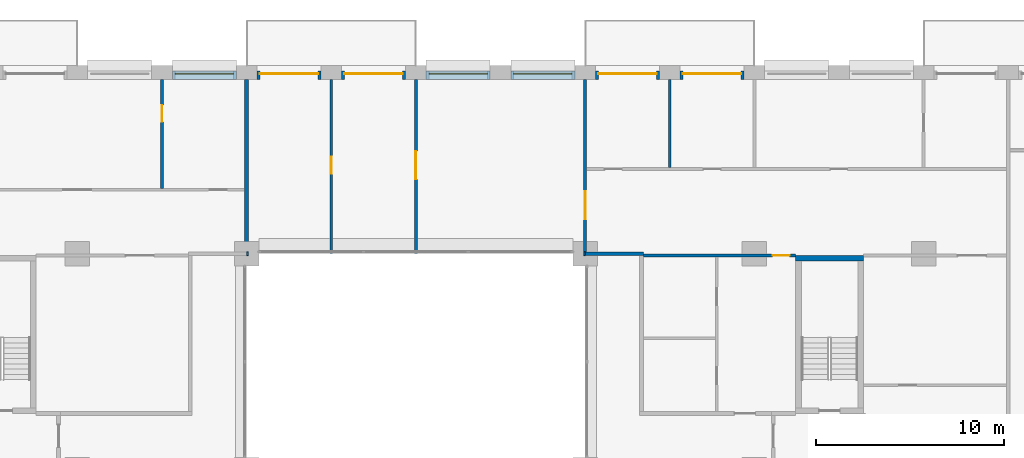
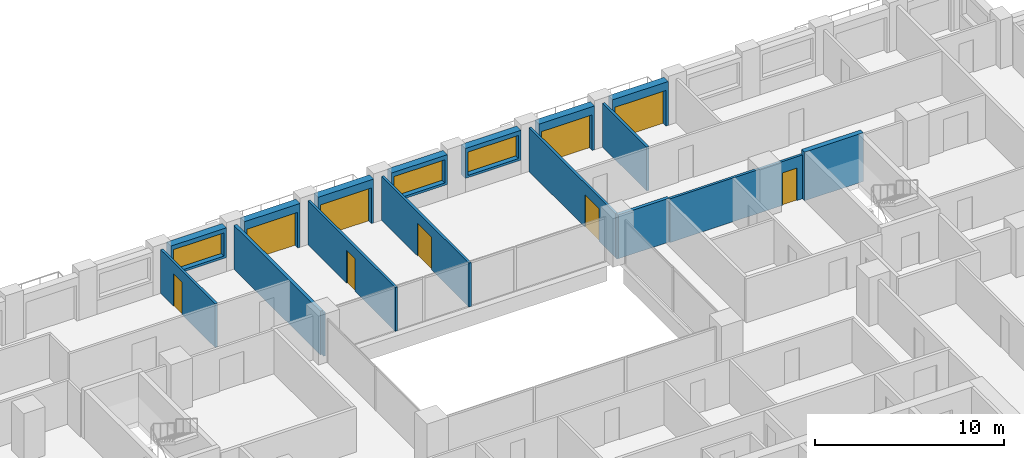
# One storey, part 13 of 16: 18 walls, 9 doors, 3 windows, 12 openings.
"""IFC4 building model written with IfcOpenShell, lengths in metres."""

from ifc_helpers import new_model, si_unit, direction, frame, frame_2d, origin, place, context, subcontext, project, spatial, rectangle, extrude, material, layer, layer_set, type_object, element, fill, save


model = new_model("IFC4")

# Units and contexts
model_context = context("Model", 3, precision=1e-05, world=origin(), true_north=direction((0.0, 1.0)))
body_context = subcontext(model_context, "Body", "Model", "MODEL_VIEW")
ifc_project = project(units=[si_unit("LENGTHUNIT", "METRE"), si_unit("AREAUNIT", "SQUARE_METRE"), si_unit("VOLUMEUNIT", "CUBIC_METRE"), si_unit("PLANEANGLEUNIT", "RADIAN"), si_unit("MASSUNIT", "GRAM", prefix="KILO")], contexts=[model_context])

# Site, building, storey
site_placement = place(None, origin())
site = spatial("IfcSite", under=ifc_project, at=site_placement, CompositionType="ELEMENT")
building_placement = place(site_placement, origin())
building = spatial("IfcBuilding", under=site, at=building_placement, Name="Brigalow Station Residences", CompositionType="ELEMENT")
storey_placement = place(building_placement, frame((0.0, 0.0, 118.199951171875)))
storey = spatial("IfcBuildingStorey", under=building, at=storey_placement, Name="L34", CompositionType="ELEMENT", Elevation=118.199951171875)

# Wall, opening, door
ifc_material_1 = material(Name="Clay brick masonry", Category="masonry")
ifc_layer_1 = layer(ifc_material_1, 0.449951171875)
ifc_layer_set_1 = layer_set([ifc_layer_1], Name="BRICK INFILL WALL 450")
wall_type_1 = type_object("IfcWallType", Name="BRICK INFILL WALL 450", PredefinedType="SOLIDWALL", material=ifc_layer_set_1)
wall_1_placement = place(storey_placement, frame((53.449951171875, 44.97509765625, 0.0), z_axis=(0.0, 0.0, 1.0), x_axis=(-1.0, 0.0, 0.0)))
wall_1 = element("IfcWall", 1, at=wall_1_placement, inside=storey, type_object=wall_type_1, Name="L34/ewall/W-L34-27", PredefinedType="SOLIDWALL", context=body_context, shape_type="SweptSolid", body=[
    extrude(rectangle(XDim=3.39990234375, YDim=0.449951171875, at=frame_2d((1.699951171875, 0.0))), origin(), (0.0, 0.0, 1.0), 2.830078125),
])
opening_1_placement = place(wall_1_placement, frame((0.14990234375, 0.0, 0.0)))
opening_1 = element("IfcOpeningElement", 2, at=opening_1_placement, cuts=wall_1, Name="Opening D-B3100", PredefinedType="OPENING", context=body_context, shape_type="SweptSolid", body=[
    extrude(rectangle(XDim=3.10009765625, YDim=2.300048828125, at=frame_2d((1.550048828125, 1.14990234375))), frame((0.0, 0.23486328125, 0.0), z_axis=(0.0, -1.0, 0.0), x_axis=(1.0, 0.0, 0.0)), (0.0, 0.0, 1.0), 0.469970703125),
])
ifc_material_2 = material(Name="Anodised aluminium frame with double glazing", Category="aluminium")
door_type_1 = type_object("IfcDoorType", Name="BALCONY SLIDING DOOR 3100x2300", OperationType="SLIDING_TO_LEFT", PredefinedType="DOOR", material=ifc_material_2)
door_1_placement = place(opening_1_placement, origin())
door_1 = element("IfcDoor", 3, at=door_1_placement, inside=storey, type_object=door_type_1, Name="L34/balcony-door/W-L34-27", OperationType="SLIDING_TO_LEFT", OverallHeight=2.300048828125, OverallWidth=3.10009765625, PredefinedType="DOOR", context=body_context, shape_type="SweptSolid", body=[
    extrude(rectangle(XDim=3.10009765625, YDim=2.300048828125, at=frame_2d((1.550048828125, 1.14990234375))), frame((0.0, -0.06982421875, 0.0), z_axis=(0.0, -1.0, 0.0), x_axis=(1.0, 0.0, 0.0)), (0.0, 0.0, 1.0), 0.050048828125),
])
fill(opening_1, door_1)

wall_2_placement = place(storey_placement, frame((48.949951171875, 44.97509765625, 0.0), z_axis=(0.0, 0.0, 1.0), x_axis=(-1.0, 0.0, 0.0)))
wall_2 = element("IfcWall", 4, at=wall_2_placement, inside=storey, type_object=wall_type_1, Name="L34/ewall/W-L34-28", PredefinedType="SOLIDWALL", context=body_context, shape_type="SweptSolid", body=[
    extrude(rectangle(XDim=3.39990234375, YDim=0.449951171875, at=frame_2d((1.699951171875, 0.0))), origin(), (0.0, 0.0, 1.0), 2.830078125),
])
opening_2_placement = place(wall_2_placement, frame((0.14990234375, 0.0, 0.0)))
opening_2 = element("IfcOpeningElement", 5, at=opening_2_placement, cuts=wall_2, Name="Opening D-B3100", PredefinedType="OPENING", context=body_context, shape_type="SweptSolid", body=[
    extrude(rectangle(XDim=3.10009765625, YDim=2.300048828125, at=frame_2d((1.550048828125, 1.14990234375))), frame((0.0, 0.23486328125, 0.0), z_axis=(0.0, -1.0, 0.0), x_axis=(1.0, 0.0, 0.0)), (0.0, 0.0, 1.0), 0.469970703125),
])
door_2_placement = place(opening_2_placement, origin())
door_2 = element("IfcDoor", 6, at=door_2_placement, inside=storey, type_object=door_type_1, Name="L34/balcony-door/W-L34-28", OperationType="SLIDING_TO_LEFT", OverallHeight=2.300048828125, OverallWidth=3.10009765625, PredefinedType="DOOR", context=body_context, shape_type="SweptSolid", body=[
    extrude(rectangle(XDim=3.10009765625, YDim=2.300048828125, at=frame_2d((1.550048828125, 1.14990234375))), frame((0.0, -0.06982421875, 0.0), z_axis=(0.0, -1.0, 0.0), x_axis=(1.0, 0.0, 0.0)), (0.0, 0.0, 1.0), 0.050048828125),
])
fill(opening_2, door_2)

# Wall, opening, window
wall_3_placement = place(storey_placement, frame((44.449951171875, 44.97509765625, 0.900146484375), z_axis=(0.0, 0.0, 1.0), x_axis=(-1.0, 0.0, 0.0)))
wall_3 = element("IfcWall", 7, at=wall_3_placement, inside=storey, type_object=wall_type_1, Name="L34/ewall/W-L34-29", PredefinedType="SOLIDWALL", context=body_context, shape_type="SweptSolid", body=[
    extrude(rectangle(XDim=3.39990234375, YDim=0.449951171875, at=frame_2d((1.699951171875, 0.0))), origin(), (0.0, 0.0, 1.0), 1.929931640625),
])
opening_3_placement = place(wall_3_placement, frame((0.14990234375, 0.0, 0.14990234375)))
opening_3 = element("IfcOpeningElement", 8, at=opening_3_placement, cuts=wall_3, Name="Opening WT-8", PredefinedType="OPENING", context=body_context, shape_type="SweptSolid", body=[
    extrude(rectangle(XDim=3.10009765625, YDim=1.5, at=frame_2d((1.550048828125, 0.75))), frame((0.0, 0.23486328125, 0.0), z_axis=(0.0, -1.0, 0.0), x_axis=(1.0, 0.0, 0.0)), (0.0, 0.0, 1.0), 0.469970703125),
])
ifc_material_3 = material(Name="Anodised aluminium frame with double glazing", Category="aluminium")
window_type = type_object("IfcWindowType", Name="WINDOW 3100x1500", PartitioningType="SINGLE_PANEL", PredefinedType="WINDOW", material=ifc_material_3)
window_1_placement = place(opening_3_placement, origin())
window_1 = element("IfcWindow", 9, at=window_1_placement, inside=storey, type_object=window_type, Name="L34/window/W-L34-29", OverallHeight=1.5, OverallWidth=3.10009765625, PartitioningType="SINGLE_PANEL", PredefinedType="WINDOW", context=body_context, shape_type="SweptSolid", body=[
    extrude(rectangle(XDim=3.10009765625, YDim=1.5, at=frame_2d((1.550048828125, 0.75))), frame((0.0, -0.06494140625, 0.0), z_axis=(0.0, -1.0, 0.0), x_axis=(1.0, 0.0, 0.0)), (0.0, 0.0, 1.0), 0.06005859375),
])
fill(opening_3, window_1)

wall_4_placement = place(storey_placement, frame((39.949951171875, 44.97509765625, 0.900146484375), z_axis=(0.0, 0.0, 1.0), x_axis=(-1.0, 0.0, 0.0)))
wall_4 = element("IfcWall", 10, at=wall_4_placement, inside=storey, type_object=wall_type_1, Name="L34/ewall/W-L34-30", PredefinedType="SOLIDWALL", context=body_context, shape_type="SweptSolid", body=[
    extrude(rectangle(XDim=3.39990234375, YDim=0.449951171875, at=frame_2d((1.699951171875, 0.0))), origin(), (0.0, 0.0, 1.0), 1.929931640625),
])
opening_4_placement = place(wall_4_placement, frame((0.14990234375, 0.0, 0.14990234375)))
opening_4 = element("IfcOpeningElement", 11, at=opening_4_placement, cuts=wall_4, Name="Opening WT-8", PredefinedType="OPENING", context=body_context, shape_type="SweptSolid", body=[
    extrude(rectangle(XDim=3.10009765625, YDim=1.5, at=frame_2d((1.550048828125, 0.75))), frame((0.0, 0.23486328125, 0.0), z_axis=(0.0, -1.0, 0.0), x_axis=(1.0, 0.0, 0.0)), (0.0, 0.0, 1.0), 0.469970703125),
])
window_2_placement = place(opening_4_placement, origin())
window_2 = element("IfcWindow", 12, at=window_2_placement, inside=storey, type_object=window_type, Name="L34/window/W-L34-30", OverallHeight=1.5, OverallWidth=3.10009765625, PartitioningType="SINGLE_PANEL", PredefinedType="WINDOW", context=body_context, shape_type="SweptSolid", body=[
    extrude(rectangle(XDim=3.10009765625, YDim=1.5, at=frame_2d((1.550048828125, 0.75))), frame((0.0, -0.06494140625, 0.0), z_axis=(0.0, -1.0, 0.0), x_axis=(1.0, 0.0, 0.0)), (0.0, 0.0, 1.0), 0.06005859375),
])
fill(opening_4, window_2)

# Wall, opening, door
wall_5_placement = place(storey_placement, frame((35.449951171875, 44.97509765625, 0.0), z_axis=(0.0, 0.0, 1.0), x_axis=(-1.0, 0.0, 0.0)))
wall_5 = element("IfcWall", 13, at=wall_5_placement, inside=storey, type_object=wall_type_1, Name="L34/ewall/W-L34-31", PredefinedType="SOLIDWALL", context=body_context, shape_type="SweptSolid", body=[
    extrude(rectangle(XDim=3.39990234375, YDim=0.449951171875, at=frame_2d((1.699951171875, 0.0))), origin(), (0.0, 0.0, 1.0), 2.830078125),
])
opening_5_placement = place(wall_5_placement, frame((0.14990234375, 0.0, 0.0)))
opening_5 = element("IfcOpeningElement", 14, at=opening_5_placement, cuts=wall_5, Name="Opening D-B3100", PredefinedType="OPENING", context=body_context, shape_type="SweptSolid", body=[
    extrude(rectangle(XDim=3.10009765625, YDim=2.300048828125, at=frame_2d((1.550048828125, 1.14990234375))), frame((0.0, 0.23486328125, 0.0), z_axis=(0.0, -1.0, 0.0), x_axis=(1.0, 0.0, 0.0)), (0.0, 0.0, 1.0), 0.469970703125),
])
door_3_placement = place(opening_5_placement, origin())
door_3 = element("IfcDoor", 15, at=door_3_placement, inside=storey, type_object=door_type_1, Name="L34/balcony-door/W-L34-31", OperationType="SLIDING_TO_LEFT", OverallHeight=2.300048828125, OverallWidth=3.10009765625, PredefinedType="DOOR", context=body_context, shape_type="SweptSolid", body=[
    extrude(rectangle(XDim=3.10009765625, YDim=2.300048828125, at=frame_2d((1.550048828125, 1.14990234375))), frame((0.0, -0.06982421875, 0.0), z_axis=(0.0, -1.0, 0.0), x_axis=(1.0, 0.0, 0.0)), (0.0, 0.0, 1.0), 0.050048828125),
])
fill(opening_5, door_3)

wall_6_placement = place(storey_placement, frame((30.949951171875, 44.97509765625, 0.0), z_axis=(0.0, 0.0, 1.0), x_axis=(-1.0, 0.0, 0.0)))
wall_6 = element("IfcWall", 16, at=wall_6_placement, inside=storey, type_object=wall_type_1, Name="L34/ewall/W-L34-32", PredefinedType="SOLIDWALL", context=body_context, shape_type="SweptSolid", body=[
    extrude(rectangle(XDim=3.39990234375, YDim=0.449951171875, at=frame_2d((1.699951171875, 0.0))), origin(), (0.0, 0.0, 1.0), 2.830078125),
])
opening_6_placement = place(wall_6_placement, frame((0.14990234375, 0.0, 0.0)))
opening_6 = element("IfcOpeningElement", 17, at=opening_6_placement, cuts=wall_6, Name="Opening D-B3100", PredefinedType="OPENING", context=body_context, shape_type="SweptSolid", body=[
    extrude(rectangle(XDim=3.10009765625, YDim=2.300048828125, at=frame_2d((1.550048828125, 1.14990234375))), frame((0.0, 0.23486328125, 0.0), z_axis=(0.0, -1.0, 0.0), x_axis=(1.0, 0.0, 0.0)), (0.0, 0.0, 1.0), 0.469970703125),
])
door_4_placement = place(opening_6_placement, origin())
door_4 = element("IfcDoor", 18, at=door_4_placement, inside=storey, type_object=door_type_1, Name="L34/balcony-door/W-L34-32", OperationType="SLIDING_TO_LEFT", OverallHeight=2.300048828125, OverallWidth=3.10009765625, PredefinedType="DOOR", context=body_context, shape_type="SweptSolid", body=[
    extrude(rectangle(XDim=3.10009765625, YDim=2.300048828125, at=frame_2d((1.550048828125, 1.14990234375))), frame((0.0, -0.06982421875, 0.0), z_axis=(0.0, -1.0, 0.0), x_axis=(1.0, 0.0, 0.0)), (0.0, 0.0, 1.0), 0.050048828125),
])
fill(opening_6, door_4)

# Wall, opening, window
wall_7_placement = place(storey_placement, frame((26.449951171875, 44.97509765625, 0.900146484375), z_axis=(0.0, 0.0, 1.0), x_axis=(-1.0, 0.0, 0.0)))
wall_7 = element("IfcWall", 19, at=wall_7_placement, inside=storey, type_object=wall_type_1, Name="L34/ewall/W-L34-33", PredefinedType="SOLIDWALL", context=body_context, shape_type="SweptSolid", body=[
    extrude(rectangle(XDim=3.39990234375, YDim=0.449951171875, at=frame_2d((1.699951171875, 0.0))), origin(), (0.0, 0.0, 1.0), 1.929931640625),
])
opening_7_placement = place(wall_7_placement, frame((0.14990234375, 0.0, 0.14990234375)))
opening_7 = element("IfcOpeningElement", 20, at=opening_7_placement, cuts=wall_7, Name="Opening WT-8", PredefinedType="OPENING", context=body_context, shape_type="SweptSolid", body=[
    extrude(rectangle(XDim=3.10009765625, YDim=1.5, at=frame_2d((1.550048828125, 0.75))), frame((0.0, 0.23486328125, 0.0), z_axis=(0.0, -1.0, 0.0), x_axis=(1.0, 0.0, 0.0)), (0.0, 0.0, 1.0), 0.469970703125),
])
window_3_placement = place(opening_7_placement, origin())
window_3 = element("IfcWindow", 21, at=window_3_placement, inside=storey, type_object=window_type, Name="L34/window/W-L34-33", OverallHeight=1.5, OverallWidth=3.10009765625, PartitioningType="SINGLE_PANEL", PredefinedType="WINDOW", context=body_context, shape_type="SweptSolid", body=[
    extrude(rectangle(XDim=3.10009765625, YDim=1.5, at=frame_2d((1.550048828125, 0.75))), frame((0.0, -0.06494140625, 0.0), z_axis=(0.0, -1.0, 0.0), x_axis=(1.0, 0.0, 0.0)), (0.0, 0.0, 1.0), 0.06005859375),
])
fill(opening_7, window_3)

# Wall
ifc_material_4 = material(Name="Concrete C65", Category="concrete")
ifc_layer_2 = layer(ifc_material_4, 0.300048828125)
ifc_layer_set_2 = layer_set([ifc_layer_2], Name="CORE SHEAR WALL 300 C65")
wall_type_2 = type_object("IfcWallType", Name="CORE SHEAR WALL 300 C65", PredefinedType="SHEAR", material=ifc_layer_set_2)
wall_8_placement = place(storey_placement, frame((56.199951171875, 35.25, 0.0), z_axis=(0.0, 0.0, 1.0), x_axis=(1.0, 0.0, 0.0)))
element("IfcWall", 22, at=wall_8_placement, inside=storey, type_object=wall_type_2, Name="CORE WALL ST-S3-N L34", PredefinedType="SHEAR", context=body_context, shape_type="SweptSolid", body=[
    extrude(rectangle(XDim=3.60009765625, YDim=0.300048828125, at=frame_2d((1.800048828125, 0.0))), origin(), (0.0, 0.0, 1.0), 3.150146484375),
])

# Wall, opening, door
ifc_material_5 = material(Name="Plasterboard on steel stud partition", Category="steel")
ifc_layer_3 = layer(ifc_material_5, 0.14990234375)
ifc_layer_set_3 = layer_set([ifc_layer_3], Name="FLAT PARTITION 150")
wall_type_3 = type_object("IfcWallType", Name="FLAT PARTITION 150", PredefinedType="PARTITIONING", material=ifc_layer_set_3)
wall_9_placement = place(storey_placement, frame((48.10009765625, 35.39990234375, 0.0), z_axis=(0.0, 0.0, 1.0), x_axis=(1.0, 0.0, 0.0)))
wall_9 = element("IfcWall", 23, at=wall_9_placement, inside=storey, type_object=wall_type_3, Name="PW-2E28", PredefinedType="PARTITIONING", context=body_context, shape_type="SweptSolid", body=[
    extrude(rectangle(XDim=8.099853515625, YDim=0.14990234375, at=frame_2d((4.0498046875, 0.0))), origin(), (0.0, 0.0, 1.0), 2.830078125),
])
opening_8_placement = place(wall_9_placement, frame((6.875, 0.0, 0.0)))
opening_8 = element("IfcOpeningElement", 24, at=opening_8_placement, cuts=wall_9, Name="Opening D-2E20", PredefinedType="OPENING", context=body_context, shape_type="SweptSolid", body=[
    extrude(rectangle(XDim=0.89990234375, YDim=2.10009765625, at=frame_2d((0.449951171875, 1.050048828125))), frame((0.0, 0.0849609375, 0.0), z_axis=(0.0, -1.0, 0.0), x_axis=(1.0, 0.0, 0.0)), (0.0, 0.0, 1.0), 0.169921875),
])
ifc_material_6 = material(Name="Solid-core timber door leaf", Category="wood")
door_type_2 = type_object("IfcDoorType", Name="INTERNAL DOOR 900 x 2100", OperationType="SINGLE_SWING_LEFT", PredefinedType="DOOR", material=ifc_material_6)
door_5_placement = place(opening_8_placement, frame((0.89990234375, 0.0, 0.0), z_axis=(0.0, 0.0, 1.0), x_axis=(-1.0, 0.0, 0.0)))
door_5 = element("IfcDoor", 25, at=door_5_placement, inside=storey, type_object=door_type_2, Name="D-2E20", OperationType="SINGLE_SWING_LEFT", OverallHeight=2.10009765625, OverallWidth=0.89990234375, PredefinedType="DOOR", context=body_context, shape_type="SweptSolid", body=[
    extrude(rectangle(XDim=0.89990234375, YDim=2.10009765625, at=frame_2d((0.449951171875, 1.050048828125))), frame((0.0, 0.02490234375, 0.0), z_axis=(0.0, -1.0, 0.0), x_axis=(1.0, 0.0, 0.0)), (0.0, 0.0, 1.0), 0.050048828125),
])
fill(opening_8, door_5)

wall_10_placement = place(storey_placement, frame((22.5, 38.97509765625, 0.0), z_axis=(0.0, 0.0, 1.0), x_axis=(0.0, 1.0, 0.0)))
wall_10 = element("IfcWall", 26, at=wall_10_placement, inside=storey, type_object=wall_type_3, Name="PW-2E49", PredefinedType="PARTITIONING", context=body_context, shape_type="SweptSolid", body=[
    extrude(rectangle(XDim=5.77490234375, YDim=0.14990234375, at=frame_2d((2.887451171875, 0.0))), origin(), (0.0, 0.0, 1.0), 2.830078125),
])
opening_9_placement = place(wall_10_placement, frame((3.52490234375, 0.0, 0.0)))
opening_9 = element("IfcOpeningElement", 27, at=opening_9_placement, cuts=wall_10, Name="Opening D-2E14", PredefinedType="OPENING", context=body_context, shape_type="SweptSolid", body=[
    extrude(rectangle(XDim=0.89990234375, YDim=2.10009765625, at=frame_2d((0.449951171875, 1.050048828125))), frame((0.0, 0.0849609375, 0.0), z_axis=(0.0, -1.0, 0.0), x_axis=(1.0, 0.0, 0.0)), (0.0, 0.0, 1.0), 0.169921875),
])
door_6_placement = place(opening_9_placement, frame((0.89990234375, 0.0, 0.0), z_axis=(0.0, 0.0, 1.0), x_axis=(-1.0, 0.0, 0.0)))
door_6 = element("IfcDoor", 28, at=door_6_placement, inside=storey, type_object=door_type_2, Name="D-2E14", OperationType="SINGLE_SWING_LEFT", OverallHeight=2.10009765625, OverallWidth=0.89990234375, PredefinedType="DOOR", context=body_context, shape_type="SweptSolid", body=[
    extrude(rectangle(XDim=0.89990234375, YDim=2.10009765625, at=frame_2d((0.449951171875, 1.050048828125))), frame((0.0, 0.02490234375, 0.0), z_axis=(0.0, -1.0, 0.0), x_axis=(1.0, 0.0, 0.0)), (0.0, 0.0, 1.0), 0.050048828125),
])
fill(opening_9, door_6)

wall_11_placement = place(storey_placement, frame((31.5, 35.5, 0.0), z_axis=(0.0, 0.0, 1.0), x_axis=(0.0, 1.0, 0.0)))
wall_11 = element("IfcWall", 29, at=wall_11_placement, inside=storey, type_object=wall_type_3, Name="PW-2E51", PredefinedType="PARTITIONING", context=body_context, shape_type="SweptSolid", body=[
    extrude(rectangle(XDim=9.25, YDim=0.14990234375, at=frame_2d((4.625, 0.0))), origin(), (0.0, 0.0, 1.0), 2.830078125),
])
opening_10_placement = place(wall_11_placement, frame((4.25, 0.0, 0.0)))
opening_10 = element("IfcOpeningElement", 30, at=opening_10_placement, cuts=wall_11, Name="Opening D-2E23", PredefinedType="OPENING", context=body_context, shape_type="SweptSolid", body=[
    extrude(rectangle(XDim=0.89990234375, YDim=2.10009765625, at=frame_2d((0.449951171875, 1.050048828125))), frame((0.0, 0.0849609375, 0.0), z_axis=(0.0, -1.0, 0.0), x_axis=(1.0, 0.0, 0.0)), (0.0, 0.0, 1.0), 0.169921875),
])
door_7_placement = place(opening_10_placement, frame((0.89990234375, 0.0, 0.0), z_axis=(0.0, 0.0, 1.0), x_axis=(-1.0, 0.0, 0.0)))
door_7 = element("IfcDoor", 31, at=door_7_placement, inside=storey, type_object=door_type_2, Name="D-2E23", OperationType="SINGLE_SWING_LEFT", OverallHeight=2.10009765625, OverallWidth=0.89990234375, PredefinedType="DOOR", context=body_context, shape_type="SweptSolid", body=[
    extrude(rectangle(XDim=0.89990234375, YDim=2.10009765625, at=frame_2d((0.449951171875, 1.050048828125))), frame((0.0, 0.02490234375, 0.0), z_axis=(0.0, -1.0, 0.0), x_axis=(1.0, 0.0, 0.0)), (0.0, 0.0, 1.0), 0.050048828125),
])
fill(opening_10, door_7)

wall_12_placement = place(storey_placement, frame((36.0, 35.5, 0.0), z_axis=(0.0, 0.0, 1.0), x_axis=(0.0, 1.0, 0.0)))
wall_12 = element("IfcWall", 32, at=wall_12_placement, inside=storey, type_object=wall_type_3, Name="PW-2E52", PredefinedType="PARTITIONING", context=body_context, shape_type="SweptSolid", body=[
    extrude(rectangle(XDim=9.25, YDim=0.14990234375, at=frame_2d((4.625, 0.0))), origin(), (0.0, 0.0, 1.0), 2.830078125),
])
opening_11_placement = place(wall_12_placement, frame((3.949951171875, 0.0, 0.0)))
opening_11 = element("IfcOpeningElement", 33, at=opening_11_placement, cuts=wall_12, Name="Opening D-2E22", PredefinedType="OPENING", context=body_context, shape_type="SweptSolid", body=[
    extrude(rectangle(XDim=1.5, YDim=2.10009765625, at=frame_2d((0.75, 1.050048828125))), frame((0.0, 0.0849609375, 0.0), z_axis=(0.0, -1.0, 0.0), x_axis=(1.0, 0.0, 0.0)), (0.0, 0.0, 1.0), 0.169921875),
])
ifc_material_7 = material(Name="Solid-core timber door leaf", Category="wood")
door_type_3 = type_object("IfcDoorType", Name="INTERNAL DOUBLE DOOR 1500 x 2100", OperationType="DOUBLE_DOOR_SINGLE_SWING", PredefinedType="DOOR", material=ifc_material_7)
door_8_placement = place(opening_11_placement, origin())
door_8 = element("IfcDoor", 34, at=door_8_placement, inside=storey, type_object=door_type_3, Name="D-2E22", OperationType="DOUBLE_DOOR_SINGLE_SWING", OverallHeight=2.10009765625, OverallWidth=1.5, PredefinedType="DOOR", context=body_context, shape_type="SweptSolid", body=[
    extrude(rectangle(XDim=1.5, YDim=2.10009765625, at=frame_2d((0.75, 1.050048828125))), frame((0.0, 0.02490234375, 0.0), z_axis=(0.0, -1.0, 0.0), x_axis=(1.0, 0.0, 0.0)), (0.0, 0.0, 1.0), 0.050048828125),
])
fill(opening_11, door_8)

wall_13_placement = place(storey_placement, frame((45.0, 35.60009765625, 0.0), z_axis=(0.0, 0.0, 1.0), x_axis=(0.0, 1.0, 0.0)))
wall_13 = element("IfcWall", 35, at=wall_13_placement, inside=storey, type_object=wall_type_3, Name="PW-2E53", PredefinedType="PARTITIONING", context=body_context, shape_type="SweptSolid", body=[
    extrude(rectangle(XDim=9.14990234375, YDim=0.14990234375, at=frame_2d((4.574951171875, 0.0))), origin(), (0.0, 0.0, 1.0), 2.830078125),
])
opening_12_placement = place(wall_13_placement, frame((1.72509765625, 0.0, 0.0)))
opening_12 = element("IfcOpeningElement", 36, at=opening_12_placement, cuts=wall_13, Name="Opening D-2E21", PredefinedType="OPENING", context=body_context, shape_type="SweptSolid", body=[
    extrude(rectangle(XDim=1.5, YDim=2.10009765625, at=frame_2d((0.75, 1.050048828125))), frame((0.0, 0.0849609375, 0.0), z_axis=(0.0, -1.0, 0.0), x_axis=(1.0, 0.0, 0.0)), (0.0, 0.0, 1.0), 0.169921875),
])
door_9_placement = place(opening_12_placement, origin())
door_9 = element("IfcDoor", 37, at=door_9_placement, inside=storey, type_object=door_type_3, Name="D-2E21", OperationType="DOUBLE_DOOR_SINGLE_SWING", OverallHeight=2.10009765625, OverallWidth=1.5, PredefinedType="DOOR", context=body_context, shape_type="SweptSolid", body=[
    extrude(rectangle(XDim=1.5, YDim=2.10009765625, at=frame_2d((0.75, 1.050048828125))), frame((0.0, 0.02490234375, 0.0), z_axis=(0.0, -1.0, 0.0), x_axis=(1.0, 0.0, 0.0)), (0.0, 0.0, 1.0), 0.050048828125),
])
fill(opening_12, door_9)

# Walls
wall_14_placement = place(storey_placement, frame((49.5, 40.074951171875, 0.0), z_axis=(0.0, 0.0, 1.0), x_axis=(0.0, 1.0, 0.0)))
element("IfcWall", 38, at=wall_14_placement, inside=storey, type_object=wall_type_3, Name="PW-2E58", PredefinedType="PARTITIONING", context=body_context, shape_type="SweptSolid", body=[
    extrude(rectangle(XDim=4.675048828125, YDim=0.14990234375, at=frame_2d((2.33740234375, 0.0))), origin(), (0.0, 0.0, 1.0), 2.830078125),
])
ifc_material_8 = material(Name="Plasterboard on steel stud partition", Category="steel")
ifc_layer_4 = layer(ifc_material_8, 0.199951171875)
ifc_layer_set_4 = layer_set([ifc_layer_4], Name="PARTY AND CORRIDOR WALL 200")
wall_type_4 = type_object("IfcWallType", Name="PARTY AND CORRIDOR WALL 200", PredefinedType="PARTITIONING", material=ifc_layer_set_4)
wall_15_placement = place(storey_placement, frame((27.0, 35.5, 0.0), z_axis=(0.0, 0.0, 1.0), x_axis=(1.0, 0.0, 0.0)))
element("IfcWall", 39, at=wall_15_placement, inside=storey, type_object=wall_type_4, Name="PW-2E08", PredefinedType="PARTITIONING", context=body_context, shape_type="SweptSolid", body=[
    extrude(rectangle(XDim=0.10009765625, YDim=0.199951171875, at=frame_2d((0.050048828125, 0.0))), origin(), (0.0, 0.0, 1.0), 2.830078125),
])
wall_16_placement = place(storey_placement, frame((44.925048828125, 35.5, 0.0), z_axis=(0.0, 0.0, 1.0), x_axis=(1.0, 0.0, 0.0)))
element("IfcWall", 40, at=wall_16_placement, inside=storey, type_object=wall_type_4, Name="PW-2E09", PredefinedType="PARTITIONING", context=body_context, shape_type="SweptSolid", body=[
    extrude(rectangle(XDim=0.074951171875, YDim=0.199951171875, at=frame_2d((0.03759765625, 0.0))), origin(), (0.0, 0.0, 1.0), 2.830078125),
])
wall_17_placement = place(storey_placement, frame((45.0, 35.5, 0.0), z_axis=(0.0, 0.0, 1.0), x_axis=(1.0, 0.0, 0.0)))
element("IfcWall", 41, at=wall_17_placement, inside=storey, type_object=wall_type_4, Name="PW-2E10", PredefinedType="PARTITIONING", context=body_context, shape_type="SweptSolid", body=[
    extrude(rectangle(XDim=3.10009765625, YDim=0.199951171875, at=frame_2d((1.550048828125, 0.0))), origin(), (0.0, 0.0, 1.0), 2.830078125),
])
wall_18_placement = place(storey_placement, frame((27.0, 35.60009765625, 0.0), z_axis=(0.0, 0.0, 1.0), x_axis=(0.0, 1.0, 0.0)))
element("IfcWall", 42, at=wall_18_placement, inside=storey, type_object=wall_type_4, Name="PW-2E48", PredefinedType="PARTITIONING", context=body_context, shape_type="SweptSolid", body=[
    extrude(rectangle(XDim=9.14990234375, YDim=0.199951171875, at=frame_2d((4.574951171875, 0.0))), origin(), (0.0, 0.0, 1.0), 2.830078125),
])

save(model, "model.ifc")
